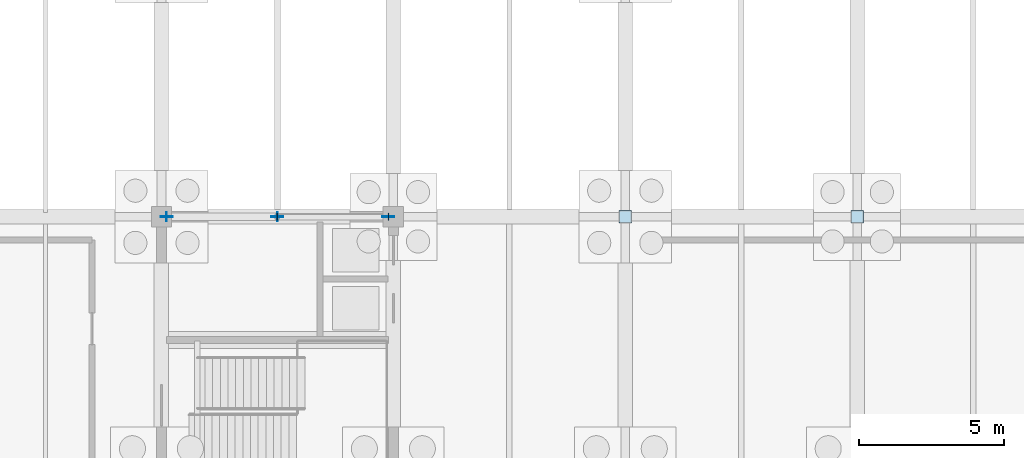
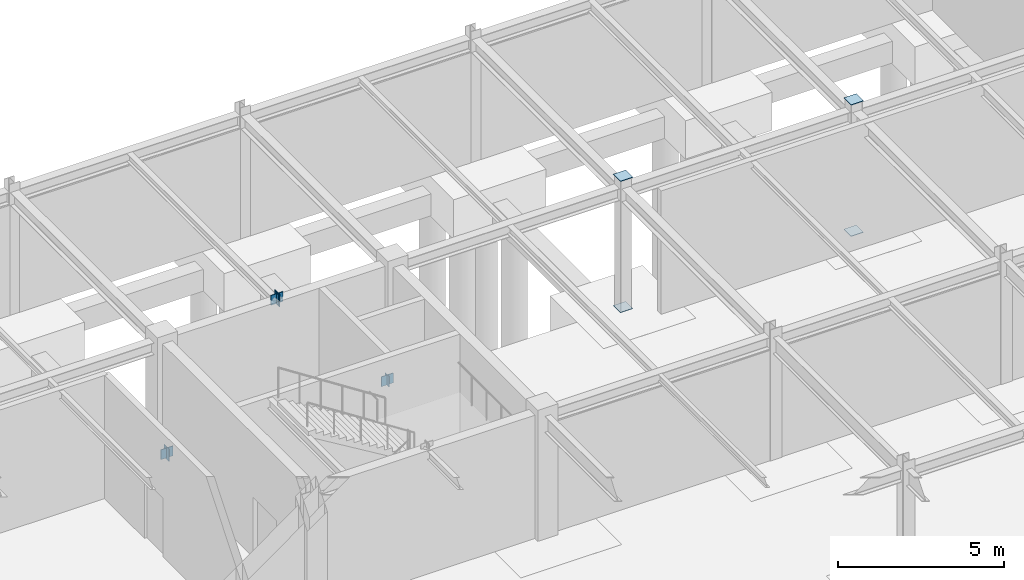
# One storey, part 58 of 72: 11 plates.
"""IFC4 building model written with IfcOpenShell, lengths in metres."""

from ifc_helpers import new_model, si_unit, direction, frame, origin, origin_2d, place, context, subcontext, project, spatial, rectangle, extrude, material, layer, layer_set, type_object, element, save


model = new_model("IFC4")

# Units and contexts
model_context = context("Model", 3, precision=1e-05, world=origin(), true_north=direction((0.0, 1.0)))
body_context = subcontext(model_context, "Body", "Model", "MODEL_VIEW")
ifc_project = project(units=[si_unit("LENGTHUNIT", "METRE"), si_unit("AREAUNIT", "SQUARE_METRE"), si_unit("VOLUMEUNIT", "CUBIC_METRE"), si_unit("PLANEANGLEUNIT", "RADIAN"), si_unit("MASSUNIT", "GRAM", prefix="KILO")], contexts=[model_context])

# Site, building, storey
site_placement = place(None, origin())
site = spatial("IfcSite", under=ifc_project, at=site_placement, CompositionType="ELEMENT")
building_placement = place(site_placement, origin())
building = spatial("IfcBuilding", under=site, at=building_placement, Name="Zhaolan Boulevard Law Courts", CompositionType="ELEMENT")
storey_placement = place(building_placement, frame((0.0, 0.0, -4.800048828125)))
storey = spatial("IfcBuildingStorey", under=building, at=storey_placement, Name="B1", CompositionType="ELEMENT", Elevation=-4.800048828125)

# Plates
ifc_material_1 = material(Name="Structural steel Q355B", Category="steel")
ifc_layer_1 = layer(ifc_material_1, 0.02392578125)
ifc_layer_set_1 = layer_set([ifc_layer_1])
plate_type_1 = type_object("IfcPlateType", Name="BRACE GUSSET PLATE 24", PredefinedType="SHEET", material=ifc_layer_set_1)
for number, where, z_axis, x_axis, name in (
    (1, (76.179931640625, 103.0, 0.02001953125), (0.0, 0.0, 1.0), (1.0, 0.0, 0.0), "Brace Gusset Connection Plate GP-C1-B1-NA1"),
    (2, (83.820068359375, 103.0, 0.02001953125), (0.0, 0.0, 1.0), (1.0, 0.0, 0.0), "Brace Gusset Connection Plate GP-C1-B1-NA2"),
    (3, (80.0, 103.0, 4.33984375), (0.0, 0.0, 1.0), (1.0, 0.0, 0.0), "Brace Gusset Connection Plate GP-C1-B1-NAPX"),
):
    element("IfcPlate", number, at=place(storey_placement, frame(where, z_axis=z_axis, x_axis=x_axis)), inside=storey, type_object=plate_type_1, Name=name, PredefinedType="SHEET", context=body_context, shape_type="SweptSolid", body=[
        extrude(rectangle(XDim=0.419921875, YDim=0.02392578125, at=origin_2d()), origin(), (0.0, 0.0, 1.0), 0.360107421875),
    ])
ifc_material_2 = material(Name="Structural steel Q355B", Category="steel")
ifc_layer_2 = layer(ifc_material_2, 0.02001953125)
ifc_layer_set_2 = layer_set([ifc_layer_2])
plate_type_2 = type_object("IfcPlateType", Name="END CAP PLATE 20", PredefinedType="SHEET", material=ifc_layer_set_2)
for number, where, z_axis, x_axis, name in (
    (4, (92.0, 103.0, -0.01806640625), (0.0, 0.0, 1.0), (1.0, 0.0, 0.0), "Hollow Section End-Cap Plate ECP-0631"),
    (5, (92.0, 103.0, 4.798095703125), (0.0, 0.0, 1.0), (1.0, 0.0, 0.0), "Hollow Section End-Cap Plate ECP-0632"),
    (6, (100.0, 103.0, -0.01806640625), (0.0, 0.0, 1.0), (1.0, 0.0, 0.0), "Hollow Section End-Cap Plate ECP-0639"),
    (7, (100.0, 103.0, 4.798095703125), (0.0, 0.0, 1.0), (1.0, 0.0, 0.0), "Hollow Section End-Cap Plate ECP-0640"),
):
    element("IfcPlate", number, at=place(storey_placement, frame(where, z_axis=z_axis, x_axis=x_axis)), inside=storey, type_object=plate_type_2, Name=name, PredefinedType="SHEET", context=body_context, shape_type="SweptSolid", body=[
        extrude(rectangle(XDim=0.429931640625, YDim=0.429931640625, at=origin_2d()), origin(), (0.0, 0.0, 1.0), 0.02001953125),
    ])
for number, where, z_axis, x_axis, name in (
    (8, (76.1748046875, 103.0, -0.034423828125), (0.0, 0.0, 1.0), (1.0, 0.0, 0.0), "Hollow Section End-Cap Plate ECP-1383"),
    (9, (80.00537109375, 103.0, 4.297607421875), (0.0, 0.0, 1.0), (1.0, 0.0, 0.0), "Hollow Section End-Cap Plate ECP-1384"),
):
    element("IfcPlate", number, at=place(storey_placement, frame(where, z_axis=z_axis, x_axis=x_axis)), inside=storey, type_object=plate_type_2, Name=name, PredefinedType="SHEET", context=body_context, shape_type="SweptSolid", body=[
        extrude(rectangle(XDim=0.02001953125, YDim=0.302978515625, at=origin_2d()), origin(), (0.0, 0.0, 1.0), 0.45703125),
    ])
for number, where, z_axis, x_axis, name in (
    (10, (83.8251953125, 103.0, 0.006103515625), (0.0, 0.0, 1.0), (-1.0, 0.0, 0.0), "Hollow Section End-Cap Plate ECP-1385"),
    (11, (79.99462890625, 103.0, 4.338134765625), (0.0, 0.0, 1.0), (-1.0, 0.0, 0.0), "Hollow Section End-Cap Plate ECP-1386"),
):
    element("IfcPlate", number, at=place(storey_placement, frame(where, z_axis=z_axis, x_axis=x_axis)), inside=storey, type_object=plate_type_2, Name=name, PredefinedType="SHEET", context=body_context, shape_type="SweptSolid", body=[
        extrude(rectangle(XDim=0.02001953125, YDim=0.2490234375, at=origin_2d()), origin(), (0.0, 0.0, 1.0), 0.3759765625),
    ])

save(model, "model.ifc")
